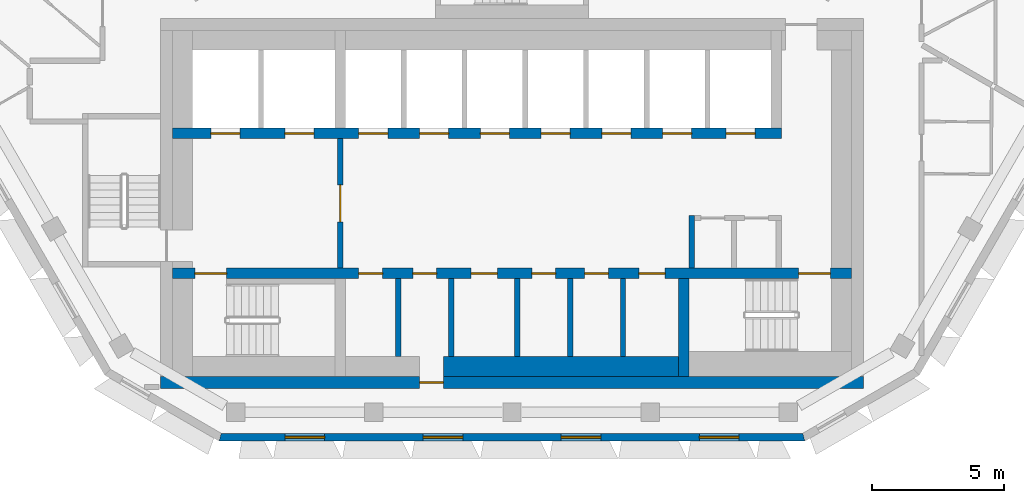
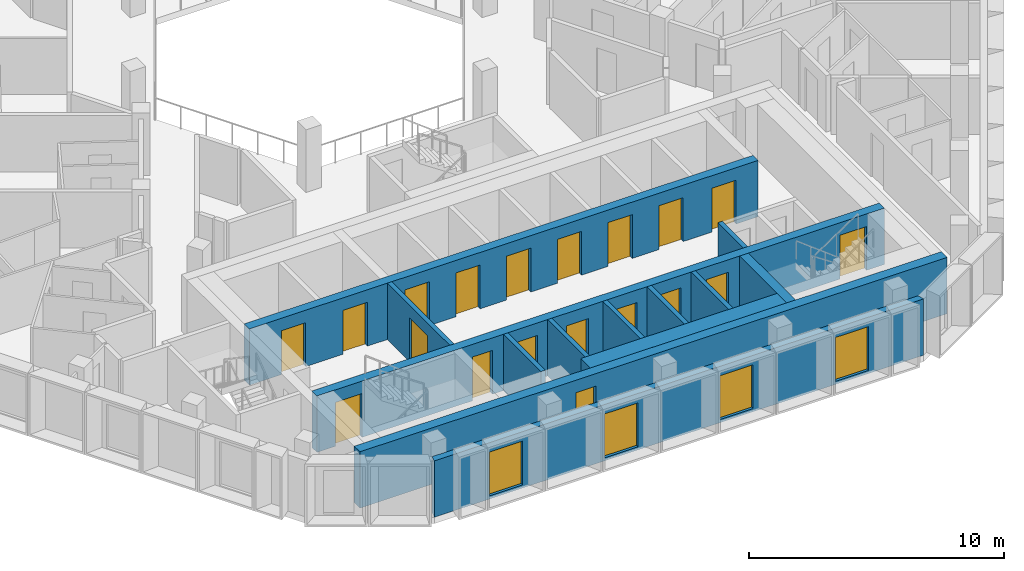
# One storey, part 3 of 15: 19 doors, 13 walls, 4 windows, 23 openings.
"""IFC4 building model written with IfcOpenShell, lengths in metres."""

from ifc_helpers import new_model, si_unit, direction, frame, frame_2d, origin, place, context, subcontext, project, spatial, polyline, rectangle, outline, extrude, material, layer, layer_set, type_object, element, fill, save


model = new_model("IFC4")

# Units and contexts
model_context = context("Model", 3, precision=1e-05, world=origin(), true_north=direction((0.0, 1.0)))
body_context = subcontext(model_context, "Body", "Model", "MODEL_VIEW")
ifc_project = project(units=[si_unit("LENGTHUNIT", "METRE"), si_unit("AREAUNIT", "SQUARE_METRE"), si_unit("VOLUMEUNIT", "CUBIC_METRE"), si_unit("PLANEANGLEUNIT", "RADIAN"), si_unit("MASSUNIT", "GRAM", prefix="KILO")], contexts=[model_context])

# Site, building, storey
site_placement = place(None, origin())
site = spatial("IfcSite", under=ifc_project, at=site_placement, CompositionType="ELEMENT")
building_placement = place(site_placement, origin())
building = spatial("IfcBuilding", under=site, at=building_placement, Name="Beryl Residences", CompositionType="ELEMENT")
storey_placement = place(building_placement, frame((0.0, 0.0, 205.800048828125)))
storey = spatial("IfcBuildingStorey", under=building, at=storey_placement, Name="L63", CompositionType="ELEMENT", Elevation=205.800048828125)

# Wall, openings, windows
ifc_material_1 = material(Name="Composite metal panel with mineral wool insulation")
ifc_layer_1 = layer(ifc_material_1, 0.300048828125)
ifc_layer_set_1 = layer_set([ifc_layer_1], Name="ES1 pale metal composite panel wall 300 mm")
wall_type_1 = type_object("IfcWallType", Name="ES1 pale metal composite panel wall 300 mm", PredefinedType="SOLIDWALL", material=ifc_layer_set_1)
wall_1_placement = place(storey_placement, frame((-11.0849609375, -20.85009765625, 0.0), z_axis=(0.0, 0.0, 1.0), x_axis=(1.0, 0.0, 0.0)))
wall_1 = element("IfcWall", 1, at=wall_1_placement, inside=storey, type_object=wall_type_1, Name="ES1 external wall L63 S", PredefinedType="SOLIDWALL", context=body_context, shape_type="SweptSolid", body=[
    extrude(outline(polyline([(0.0, -0.14990234375), (22.169921875, -0.14990234375), (22.089599609375, 0.14990234375), (0.080322265625, 0.14990234375), (0.0, -0.14990234375)])), origin(), (0.0, 0.0, 1.0), 2.699951171875),
])
opening_1_placement = place(wall_1_placement, frame((2.498046875, 0.0, 0.14990234375)))
opening_1 = element("IfcOpeningElement", 2, at=opening_1_placement, cuts=wall_1, Name="Opening W1", PredefinedType="OPENING", context=body_context, shape_type="SweptSolid", body=[
    extrude(rectangle(XDim=1.5, YDim=2.10009765625, at=frame_2d((0.75, 1.050048828125))), frame((0.0, 0.159912109375, 0.0), z_axis=(0.0, -1.0, 0.0), x_axis=(1.0, 0.0, 0.0)), (0.0, 0.0, 1.0), 0.320068359375),
])
opening_2_placement = place(wall_1_placement, frame((7.722900390625, 0.0, 0.14990234375)))
opening_2 = element("IfcOpeningElement", 3, at=opening_2_placement, cuts=wall_1, Name="Opening W1", PredefinedType="OPENING", context=body_context, shape_type="SweptSolid", body=[
    extrude(rectangle(XDim=1.5, YDim=2.10009765625, at=frame_2d((0.75, 1.050048828125))), frame((0.0, 0.159912109375, 0.0), z_axis=(0.0, -1.0, 0.0), x_axis=(1.0, 0.0, 0.0)), (0.0, 0.0, 1.0), 0.320068359375),
])
opening_3_placement = place(wall_1_placement, frame((12.947021484375, 0.0, 0.14990234375)))
opening_3 = element("IfcOpeningElement", 4, at=opening_3_placement, cuts=wall_1, Name="Opening W1", PredefinedType="OPENING", context=body_context, shape_type="SweptSolid", body=[
    extrude(rectangle(XDim=1.5, YDim=2.10009765625, at=frame_2d((0.75, 1.050048828125))), frame((0.0, 0.159912109375, 0.0), z_axis=(0.0, -1.0, 0.0), x_axis=(1.0, 0.0, 0.0)), (0.0, 0.0, 1.0), 0.320068359375),
])
opening_4_placement = place(wall_1_placement, frame((18.172119140625, 0.0, 0.14990234375)))
opening_4 = element("IfcOpeningElement", 5, at=opening_4_placement, cuts=wall_1, Name="Opening W1", PredefinedType="OPENING", context=body_context, shape_type="SweptSolid", body=[
    extrude(rectangle(XDim=1.5, YDim=2.10009765625, at=frame_2d((0.75, 1.050048828125))), frame((0.0, 0.159912109375, 0.0), z_axis=(0.0, -1.0, 0.0), x_axis=(1.0, 0.0, 0.0)), (0.0, 0.0, 1.0), 0.320068359375),
])
ifc_material_2 = material(Name="Aluminium and clear glass", Category="aluminium")
window_type = type_object("IfcWindowType", Name="W1 cell window 1500 x 2100 mm", PartitioningType="SINGLE_PANEL", PredefinedType="WINDOW", material=ifc_material_2)
window_1_placement = place(opening_1_placement, origin())
window_1 = element("IfcWindow", 6, at=window_1_placement, inside=storey, type_object=window_type, Name="W1 window L63 S 2", OverallHeight=2.10009765625, OverallWidth=1.5, PartitioningType="SINGLE_PANEL", PredefinedType="WINDOW", context=body_context, shape_type="SweptSolid", body=[
    extrude(rectangle(XDim=1.5, YDim=2.10009765625, at=frame_2d((0.75, 1.050048828125))), frame((0.0, 0.030029296875, 0.0), z_axis=(0.0, -1.0, 0.0), x_axis=(1.0, 0.0, 0.0)), (0.0, 0.0, 1.0), 0.06005859375),
])
fill(opening_1, window_1)
window_2_placement = place(opening_2_placement, origin())
window_2 = element("IfcWindow", 7, at=window_2_placement, inside=storey, type_object=window_type, Name="W1 window L63 S 4", OverallHeight=2.10009765625, OverallWidth=1.5, PartitioningType="SINGLE_PANEL", PredefinedType="WINDOW", context=body_context, shape_type="SweptSolid", body=[
    extrude(rectangle(XDim=1.5, YDim=2.10009765625, at=frame_2d((0.75, 1.050048828125))), frame((0.0, 0.030029296875, 0.0), z_axis=(0.0, -1.0, 0.0), x_axis=(1.0, 0.0, 0.0)), (0.0, 0.0, 1.0), 0.06005859375),
])
fill(opening_2, window_2)
window_3_placement = place(opening_3_placement, origin())
window_3 = element("IfcWindow", 8, at=window_3_placement, inside=storey, type_object=window_type, Name="W1 window L63 S 6", OverallHeight=2.10009765625, OverallWidth=1.5, PartitioningType="SINGLE_PANEL", PredefinedType="WINDOW", context=body_context, shape_type="SweptSolid", body=[
    extrude(rectangle(XDim=1.5, YDim=2.10009765625, at=frame_2d((0.75, 1.050048828125))), frame((0.0, 0.030029296875, 0.0), z_axis=(0.0, -1.0, 0.0), x_axis=(1.0, 0.0, 0.0)), (0.0, 0.0, 1.0), 0.06005859375),
])
fill(opening_3, window_3)
window_4_placement = place(opening_4_placement, origin())
window_4 = element("IfcWindow", 9, at=window_4_placement, inside=storey, type_object=window_type, Name="W1 window L63 S 8", OverallHeight=2.10009765625, OverallWidth=1.5, PartitioningType="SINGLE_PANEL", PredefinedType="WINDOW", context=body_context, shape_type="SweptSolid", body=[
    extrude(rectangle(XDim=1.5, YDim=2.10009765625, at=frame_2d((0.75, 1.050048828125))), frame((0.0, 0.030029296875, 0.0), z_axis=(0.0, -1.0, 0.0), x_axis=(1.0, 0.0, 0.0)), (0.0, 0.0, 1.0), 0.06005859375),
])
fill(opening_4, window_4)

# Wall, opening, door
ifc_material_3 = material(Name="Concrete masonry", Category="masonry")
ifc_layer_2 = layer(ifc_material_3, 0.199951171875)
ifc_layer_set_2 = layer_set([ifc_layer_2], Name="PT13 lobby wall 200 mm")
wall_type_2 = type_object("IfcWallType", Name="PT13 lobby wall 200 mm", PredefinedType="PARTITIONING", material=ifc_layer_set_2)
wall_2_placement = place(storey_placement, frame((-6.5, -14.449951171875, 0.0), z_axis=(0.0, 0.0, 1.0), x_axis=(0.0, 1.0, 0.0)))
wall_2 = element("IfcWall", 10, at=wall_2_placement, inside=storey, type_object=wall_type_2, Name="Lobby wall 12", PredefinedType="PARTITIONING", context=body_context, shape_type="SweptSolid", body=[
    extrude(rectangle(XDim=4.89990234375, YDim=0.199951171875, at=frame_2d((2.449951171875, 0.0))), origin(), (0.0, 0.0, 1.0), 2.699951171875),
])
opening_5_placement = place(wall_2_placement, frame((3.14990234375, 0.0, 0.0), z_axis=(0.0, 0.0, 1.0), x_axis=(-1.0, 0.0, 0.0)))
opening_5 = element("IfcOpeningElement", 11, at=opening_5_placement, cuts=wall_2, Name="Opening FD-FFL", PredefinedType="OPENING", context=body_context, shape_type="SweptSolid", body=[
    extrude(rectangle(XDim=1.39990234375, YDim=2.10009765625, at=frame_2d((0.699951171875, 1.050048828125))), frame((0.0, 0.10986328125, 0.0), z_axis=(0.0, -1.0, 0.0), x_axis=(1.0, 0.0, 0.0)), (0.0, 0.0, 1.0), 0.219970703125),
])
ifc_material_4 = material(Name="Steel door leaf in steel frame", Category="steel")
door_type_1 = type_object("IfcDoorType", Name="D5 lobby door 1400 x 2100 mm", OperationType="DOUBLE_DOOR_SINGLE_SWING", PredefinedType="DOOR", material=ifc_material_4)
door_1_placement = place(opening_5_placement, origin())
door_1 = element("IfcDoor", 12, at=door_1_placement, inside=storey, type_object=door_type_1, Name="Door FD-FFL L63 001", OperationType="DOUBLE_DOOR_SINGLE_SWING", OverallHeight=2.10009765625, OverallWidth=1.39990234375, PredefinedType="DOOR", context=body_context, shape_type="SweptSolid", body=[
    extrude(rectangle(XDim=1.39990234375, YDim=2.10009765625, at=frame_2d((0.699951171875, 1.050048828125))), frame((0.0, 0.02490234375, 0.0), z_axis=(0.0, -1.0, 0.0), x_axis=(1.0, 0.0, 0.0)), (0.0, 0.0, 1.0), 0.050048828125),
])
fill(opening_5, door_1)

# Walls
wall_3_placement = place(storey_placement, frame((6.800048828125, -14.449951171875, 0.0), z_axis=(0.0, 0.0, 1.0), x_axis=(0.0, 1.0, 0.0)))
element("IfcWall", 13, at=wall_3_placement, inside=storey, type_object=wall_type_2, Name="Lobby wall 27", PredefinedType="PARTITIONING", context=body_context, shape_type="SweptSolid", body=[
    extrude(rectangle(XDim=2.0, YDim=0.199951171875, at=frame_2d((1.0, 0.0))), origin(), (0.0, 0.0, 1.0), 2.699951171875),
])
ifc_material_5 = material(Name="Concrete masonry", Category="masonry")
ifc_layer_3 = layer(ifc_material_5, 0.199951171875)
ifc_layer_set_3 = layer_set([ifc_layer_3], Name="PT8-200 service room wall 200 mm")
wall_type_3 = type_object("IfcWallType", Name="PT8-200 service room wall 200 mm", PredefinedType="PARTITIONING", material=ifc_layer_set_3)
for number, where, z_axis, x_axis, name in (
    (14, (-4.300048828125, -17.800048828125, 0.0), (0.0, 0.0, 1.0), (0.0, 1.0, 0.0), "Core room wall 15"),
    (15, (-2.300048828125, -17.800048828125, 0.0), (0.0, 0.0, 1.0), (0.0, 1.0, 0.0), "Core room wall 18"),
    (16, (0.199951171875, -17.800048828125, 0.0), (0.0, 0.0, 1.0), (0.0, 1.0, 0.0), "Core room wall 20"),
    (17, (2.199951171875, -17.800048828125, 0.0), (0.0, 0.0, 1.0), (0.0, 1.0, 0.0), "Core room wall 22"),
    (18, (4.199951171875, -17.800048828125, 0.0), (0.0, 0.0, 1.0), (0.0, 1.0, 0.0), "Core room wall 24"),
):
    element("IfcWall", number, at=place(storey_placement, frame(where, z_axis=z_axis, x_axis=x_axis)), inside=storey, type_object=wall_type_3, Name=name, PredefinedType="PARTITIONING", context=body_context, shape_type="SweptSolid", body=[
        extrude(rectangle(XDim=2.949951171875, YDim=0.199951171875, at=frame_2d((1.47509765625, 0.0))), origin(), (0.0, 0.0, 1.0), 2.699951171875),
    ])
ifc_material_6 = material(Name="Concrete masonry", Category="masonry")
ifc_layer_4 = layer(ifc_material_6, 0.75)
ifc_layer_set_4 = layer_set([ifc_layer_4], Name="PT8-750 service room wall 750 mm")
wall_type_4 = type_object("IfcWallType", Name="PT8-750 service room wall 750 mm", PredefinedType="PARTITIONING", material=ifc_layer_set_4)
wall_4_placement = place(storey_placement, frame((-2.60009765625, -18.175048828125, 0.0), z_axis=(0.0, 0.0, 1.0), x_axis=(1.0, 0.0, 0.0)))
element("IfcWall", 19, at=wall_4_placement, inside=storey, type_object=wall_type_4, Name="Core room wall 17", PredefinedType="PARTITIONING", context=body_context, shape_type="SweptSolid", body=[
    extrude(rectangle(XDim=8.900146484375, YDim=0.75, at=frame_2d((4.4501953125, 0.0))), origin(), (0.0, 0.0, 1.0), 2.699951171875),
])

# Wall, openings, doors
ifc_material_7 = material(Name="Concrete C50/60", Category="concrete")
ifc_layer_5 = layer(ifc_material_7, 0.39990234375)
ifc_layer_set_5 = layer_set([ifc_layer_5], Name="SW10 core internal wall 400 mm C50/60")
wall_type_5 = type_object("IfcWallType", Name="SW10 core internal wall 400 mm C50/60", PredefinedType="SHEAR", material=ifc_layer_set_5)
wall_5_placement = place(storey_placement, frame((-12.85009765625, -14.64990234375, 0.0), z_axis=(0.0, 0.0, 1.0), x_axis=(1.0, 0.0, 0.0)))
wall_5 = element("IfcWall", 20, at=wall_5_placement, inside=storey, type_object=wall_type_5, Name="Core wall SP1 L63", PredefinedType="SHEAR", context=body_context, shape_type="SweptSolid", body=[
    extrude(rectangle(XDim=25.7001953125, YDim=0.39990234375, at=frame_2d((12.85009765625, 0.0))), origin(), (0.0, 0.0, 1.0), 2.699951171875),
])
opening_6_placement = place(wall_5_placement, frame((2.050048828125, 0.0, 0.0), z_axis=(0.0, 0.0, 1.0), x_axis=(-1.0, 0.0, 0.0)))
opening_6 = element("IfcOpeningElement", 21, at=opening_6_placement, cuts=wall_5, Name="Opening SD-1", PredefinedType="OPENING", context=body_context, shape_type="SweptSolid", body=[
    extrude(rectangle(XDim=1.199951171875, YDim=2.10009765625, at=frame_2d((0.60009765625, 1.050048828125))), frame((0.0, 0.2099609375, 0.0), z_axis=(0.0, -1.0, 0.0), x_axis=(1.0, 0.0, 0.0)), (0.0, 0.0, 1.0), 0.419921875),
])
opening_7_placement = place(wall_5_placement, frame((24.89990234375, 0.0, 0.0), z_axis=(0.0, 0.0, 1.0), x_axis=(-1.0, 0.0, 0.0)))
opening_7 = element("IfcOpeningElement", 22, at=opening_7_placement, cuts=wall_5, Name="Opening SD-3", PredefinedType="OPENING", context=body_context, shape_type="SweptSolid", body=[
    extrude(rectangle(XDim=1.199951171875, YDim=2.10009765625, at=frame_2d((0.60009765625, 1.050048828125))), frame((0.0, 0.2099609375, 0.0), z_axis=(0.0, -1.0, 0.0), x_axis=(1.0, 0.0, 0.0)), (0.0, 0.0, 1.0), 0.419921875),
])
opening_8_placement = place(wall_5_placement, frame((7.949951171875, 0.0, 0.0), z_axis=(0.0, 0.0, 1.0), x_axis=(-1.0, 0.0, 0.0)))
opening_8 = element("IfcOpeningElement", 23, at=opening_8_placement, cuts=wall_5, Name="Opening CD-D-S1-900", PredefinedType="OPENING", context=body_context, shape_type="SweptSolid", body=[
    extrude(rectangle(XDim=0.89990234375, YDim=2.10009765625, at=frame_2d((0.449951171875, 1.050048828125))), frame((0.0, 0.2099609375, 0.0), z_axis=(0.0, -1.0, 0.0), x_axis=(1.0, 0.0, 0.0)), (0.0, 0.0, 1.0), 0.419921875),
])
opening_9_placement = place(wall_5_placement, frame((10.0, 0.0, 0.0), z_axis=(0.0, 0.0, 1.0), x_axis=(-1.0, 0.0, 0.0)))
opening_9 = element("IfcOpeningElement", 24, at=opening_9_placement, cuts=wall_5, Name="Opening CD-D-S2-900", PredefinedType="OPENING", context=body_context, shape_type="SweptSolid", body=[
    extrude(rectangle(XDim=0.89990234375, YDim=2.10009765625, at=frame_2d((0.449951171875, 1.050048828125))), frame((0.0, 0.2099609375, 0.0), z_axis=(0.0, -1.0, 0.0), x_axis=(1.0, 0.0, 0.0)), (0.0, 0.0, 1.0), 0.419921875),
])
opening_10_placement = place(wall_5_placement, frame((12.300048828125, 0.0, 0.0), z_axis=(0.0, 0.0, 1.0), x_axis=(-1.0, 0.0, 0.0)))
opening_10 = element("IfcOpeningElement", 25, at=opening_10_placement, cuts=wall_5, Name="Opening CD-D-S3", PredefinedType="OPENING", context=body_context, shape_type="SweptSolid", body=[
    extrude(rectangle(XDim=1.0, YDim=2.10009765625, at=frame_2d((0.5, 1.050048828125))), frame((0.0, 0.2099609375, 0.0), z_axis=(0.0, -1.0, 0.0), x_axis=(1.0, 0.0, 0.0)), (0.0, 0.0, 1.0), 0.419921875),
])
opening_11_placement = place(wall_5_placement, frame((14.5, 0.0, 0.0), z_axis=(0.0, 0.0, 1.0), x_axis=(-1.0, 0.0, 0.0)))
opening_11 = element("IfcOpeningElement", 26, at=opening_11_placement, cuts=wall_5, Name="Opening CD-D-S4-900", PredefinedType="OPENING", context=body_context, shape_type="SweptSolid", body=[
    extrude(rectangle(XDim=0.89990234375, YDim=2.10009765625, at=frame_2d((0.449951171875, 1.050048828125))), frame((0.0, 0.2099609375, 0.0), z_axis=(0.0, -1.0, 0.0), x_axis=(1.0, 0.0, 0.0)), (0.0, 0.0, 1.0), 0.419921875),
])
opening_12_placement = place(wall_5_placement, frame((16.5, 0.0, 0.0), z_axis=(0.0, 0.0, 1.0), x_axis=(-1.0, 0.0, 0.0)))
opening_12 = element("IfcOpeningElement", 27, at=opening_12_placement, cuts=wall_5, Name="Opening CD-D-S5-900", PredefinedType="OPENING", context=body_context, shape_type="SweptSolid", body=[
    extrude(rectangle(XDim=0.89990234375, YDim=2.10009765625, at=frame_2d((0.449951171875, 1.050048828125))), frame((0.0, 0.2099609375, 0.0), z_axis=(0.0, -1.0, 0.0), x_axis=(1.0, 0.0, 0.0)), (0.0, 0.0, 1.0), 0.419921875),
])
opening_13_placement = place(wall_5_placement, frame((18.64990234375, 0.0, 0.0), z_axis=(0.0, 0.0, 1.0), x_axis=(-1.0, 0.0, 0.0)))
opening_13 = element("IfcOpeningElement", 28, at=opening_13_placement, cuts=wall_5, Name="Opening CD-D-S6", PredefinedType="OPENING", context=body_context, shape_type="SweptSolid", body=[
    extrude(rectangle(XDim=1.0, YDim=2.10009765625, at=frame_2d((0.5, 1.050048828125))), frame((0.0, 0.2099609375, 0.0), z_axis=(0.0, -1.0, 0.0), x_axis=(1.0, 0.0, 0.0)), (0.0, 0.0, 1.0), 0.419921875),
])
ifc_material_8 = material(Name="Steel door leaf in steel frame", Category="steel")
door_type_2 = type_object("IfcDoorType", Name="D18 service room door 1000 x 2100 mm", OperationType="SINGLE_SWING_LEFT", PredefinedType="DOOR", material=ifc_material_8)
door_2_placement = place(opening_10_placement, origin())
door_2 = element("IfcDoor", 29, at=door_2_placement, inside=storey, type_object=door_type_2, Name="Door CD-D-S3 L63 001", OperationType="SINGLE_SWING_RIGHT", OverallHeight=2.10009765625, OverallWidth=1.0, PredefinedType="DOOR", context=body_context, shape_type="SweptSolid", body=[
    extrude(rectangle(XDim=1.0, YDim=2.10009765625, at=frame_2d((0.5, 1.050048828125))), frame((0.0, 0.02490234375, 0.0), z_axis=(0.0, -1.0, 0.0), x_axis=(1.0, 0.0, 0.0)), (0.0, 0.0, 1.0), 0.050048828125),
])
fill(opening_10, door_2)
door_3_placement = place(opening_13_placement, origin())
door_3 = element("IfcDoor", 30, at=door_3_placement, inside=storey, type_object=door_type_2, Name="Door CD-D-S6 L63 001", OperationType="SINGLE_SWING_LEFT", OverallHeight=2.10009765625, OverallWidth=1.0, PredefinedType="DOOR", context=body_context, shape_type="SweptSolid", body=[
    extrude(rectangle(XDim=1.0, YDim=2.10009765625, at=frame_2d((0.5, 1.050048828125))), frame((0.0, 0.02490234375, 0.0), z_axis=(0.0, -1.0, 0.0), x_axis=(1.0, 0.0, 0.0)), (0.0, 0.0, 1.0), 0.050048828125),
])
fill(opening_13, door_3)
ifc_material_9 = material(Name="Steel door leaf in steel frame", Category="steel")
door_type_3 = type_object("IfcDoorType", Name="D4 stair door 1200 x 2100 mm", OperationType="SINGLE_SWING_LEFT", PredefinedType="DOOR", material=ifc_material_9)
door_4_placement = place(opening_6_placement, origin())
door_4 = element("IfcDoor", 31, at=door_4_placement, inside=storey, type_object=door_type_3, Name="Door SD-1 L63 001", OperationType="SINGLE_SWING_RIGHT", OverallHeight=2.10009765625, OverallWidth=1.199951171875, PredefinedType="DOOR", context=body_context, shape_type="SweptSolid", body=[
    extrude(rectangle(XDim=1.199951171875, YDim=2.10009765625, at=frame_2d((0.60009765625, 1.050048828125))), frame((0.0, 0.02490234375, 0.0), z_axis=(0.0, -1.0, 0.0), x_axis=(1.0, 0.0, 0.0)), (0.0, 0.0, 1.0), 0.050048828125),
])
fill(opening_6, door_4)
door_5_placement = place(opening_7_placement, origin())
door_5 = element("IfcDoor", 32, at=door_5_placement, inside=storey, type_object=door_type_3, Name="Door SD-3 L63 001", OperationType="SINGLE_SWING_RIGHT", OverallHeight=2.10009765625, OverallWidth=1.199951171875, PredefinedType="DOOR", context=body_context, shape_type="SweptSolid", body=[
    extrude(rectangle(XDim=1.199951171875, YDim=2.10009765625, at=frame_2d((0.60009765625, 1.050048828125))), frame((0.0, 0.02490234375, 0.0), z_axis=(0.0, -1.0, 0.0), x_axis=(1.0, 0.0, 0.0)), (0.0, 0.0, 1.0), 0.050048828125),
])
fill(opening_7, door_5)
ifc_material_10 = material(Name="Steel door leaf in steel frame", Category="steel")
door_type_4 = type_object("IfcDoorType", Name="D6 service room door 900 x 2100 mm", OperationType="SINGLE_SWING_LEFT", PredefinedType="DOOR", material=ifc_material_10)
door_6_placement = place(opening_8_placement, origin())
door_6 = element("IfcDoor", 33, at=door_6_placement, inside=storey, type_object=door_type_4, Name="Door CD-D-S1-900 L63 001", OperationType="SINGLE_SWING_RIGHT", OverallHeight=2.10009765625, OverallWidth=0.89990234375, PredefinedType="DOOR", context=body_context, shape_type="SweptSolid", body=[
    extrude(rectangle(XDim=0.89990234375, YDim=2.10009765625, at=frame_2d((0.449951171875, 1.050048828125))), frame((0.0, 0.02490234375, 0.0), z_axis=(0.0, -1.0, 0.0), x_axis=(1.0, 0.0, 0.0)), (0.0, 0.0, 1.0), 0.050048828125),
])
fill(opening_8, door_6)
door_7_placement = place(opening_9_placement, origin())
door_7 = element("IfcDoor", 34, at=door_7_placement, inside=storey, type_object=door_type_4, Name="Door CD-D-S2-900 L63 001", OperationType="SINGLE_SWING_LEFT", OverallHeight=2.10009765625, OverallWidth=0.89990234375, PredefinedType="DOOR", context=body_context, shape_type="SweptSolid", body=[
    extrude(rectangle(XDim=0.89990234375, YDim=2.10009765625, at=frame_2d((0.449951171875, 1.050048828125))), frame((0.0, 0.02490234375, 0.0), z_axis=(0.0, -1.0, 0.0), x_axis=(1.0, 0.0, 0.0)), (0.0, 0.0, 1.0), 0.050048828125),
])
fill(opening_9, door_7)
door_8_placement = place(opening_11_placement, origin())
door_8 = element("IfcDoor", 35, at=door_8_placement, inside=storey, type_object=door_type_4, Name="Door CD-D-S4-900 L63 001", OperationType="SINGLE_SWING_LEFT", OverallHeight=2.10009765625, OverallWidth=0.89990234375, PredefinedType="DOOR", context=body_context, shape_type="SweptSolid", body=[
    extrude(rectangle(XDim=0.89990234375, YDim=2.10009765625, at=frame_2d((0.449951171875, 1.050048828125))), frame((0.0, 0.02490234375, 0.0), z_axis=(0.0, -1.0, 0.0), x_axis=(1.0, 0.0, 0.0)), (0.0, 0.0, 1.0), 0.050048828125),
])
fill(opening_11, door_8)
door_9_placement = place(opening_12_placement, origin())
door_9 = element("IfcDoor", 36, at=door_9_placement, inside=storey, type_object=door_type_4, Name="Door CD-D-S5-900 L63 001", OperationType="SINGLE_SWING_RIGHT", OverallHeight=2.10009765625, OverallWidth=0.89990234375, PredefinedType="DOOR", context=body_context, shape_type="SweptSolid", body=[
    extrude(rectangle(XDim=0.89990234375, YDim=2.10009765625, at=frame_2d((0.449951171875, 1.050048828125))), frame((0.0, 0.02490234375, 0.0), z_axis=(0.0, -1.0, 0.0), x_axis=(1.0, 0.0, 0.0)), (0.0, 0.0, 1.0), 0.050048828125),
])
fill(opening_12, door_9)

wall_6_placement = place(storey_placement, frame((-12.85009765625, -9.35009765625, 0.0), z_axis=(0.0, 0.0, 1.0), x_axis=(1.0, 0.0, 0.0)))
wall_6 = element("IfcWall", 37, at=wall_6_placement, inside=storey, type_object=wall_type_5, Name="Core wall SP2 L63", PredefinedType="SHEAR", context=body_context, shape_type="SweptSolid", body=[
    extrude(rectangle(XDim=23.050048828125, YDim=0.39990234375, at=frame_2d((11.52490234375, 0.0))), origin(), (0.0, 0.0, 1.0), 2.699951171875),
])
opening_14_placement = place(wall_6_placement, frame((1.449951171875, 0.0, 0.0)))
opening_14 = element("IfcOpeningElement", 38, at=opening_14_placement, cuts=wall_6, Name="Opening LD-FF1", PredefinedType="OPENING", context=body_context, shape_type="SweptSolid", body=[
    extrude(rectangle(XDim=1.10009765625, YDim=2.10009765625, at=frame_2d((0.550048828125, 1.050048828125))), frame((0.0, 0.2099609375, 0.0), z_axis=(0.0, -1.0, 0.0), x_axis=(1.0, 0.0, 0.0)), (0.0, 0.0, 1.0), 0.419921875),
])
opening_15_placement = place(wall_6_placement, frame((4.25, 0.0, 0.0)))
opening_15 = element("IfcOpeningElement", 39, at=opening_15_placement, cuts=wall_6, Name="Opening LD-FF2", PredefinedType="OPENING", context=body_context, shape_type="SweptSolid", body=[
    extrude(rectangle(XDim=1.10009765625, YDim=2.10009765625, at=frame_2d((0.550048828125, 1.050048828125))), frame((0.0, 0.2099609375, 0.0), z_axis=(0.0, -1.0, 0.0), x_axis=(1.0, 0.0, 0.0)), (0.0, 0.0, 1.0), 0.419921875),
])
opening_16_placement = place(wall_6_placement, frame((7.050048828125, 0.0, 0.0)))
opening_16 = element("IfcOpeningElement", 40, at=opening_16_placement, cuts=wall_6, Name="Opening LD-HR1", PredefinedType="OPENING", context=body_context, shape_type="SweptSolid", body=[
    extrude(rectangle(XDim=1.10009765625, YDim=2.10009765625, at=frame_2d((0.550048828125, 1.050048828125))), frame((0.0, 0.2099609375, 0.0), z_axis=(0.0, -1.0, 0.0), x_axis=(1.0, 0.0, 0.0)), (0.0, 0.0, 1.0), 0.419921875),
])
opening_17_placement = place(wall_6_placement, frame((9.35009765625, 0.0, 0.0)))
opening_17 = element("IfcOpeningElement", 41, at=opening_17_placement, cuts=wall_6, Name="Opening LD-HR2", PredefinedType="OPENING", context=body_context, shape_type="SweptSolid", body=[
    extrude(rectangle(XDim=1.10009765625, YDim=2.10009765625, at=frame_2d((0.550048828125, 1.050048828125))), frame((0.0, 0.2099609375, 0.0), z_axis=(0.0, -1.0, 0.0), x_axis=(1.0, 0.0, 0.0)), (0.0, 0.0, 1.0), 0.419921875),
])
opening_18_placement = place(wall_6_placement, frame((11.64990234375, 0.0, 0.0)))
opening_18 = element("IfcOpeningElement", 42, at=opening_18_placement, cuts=wall_6, Name="Opening LD-HR3", PredefinedType="OPENING", context=body_context, shape_type="SweptSolid", body=[
    extrude(rectangle(XDim=1.10009765625, YDim=2.10009765625, at=frame_2d((0.550048828125, 1.050048828125))), frame((0.0, 0.2099609375, 0.0), z_axis=(0.0, -1.0, 0.0), x_axis=(1.0, 0.0, 0.0)), (0.0, 0.0, 1.0), 0.419921875),
])
opening_19_placement = place(wall_6_placement, frame((13.949951171875, 0.0, 0.0)))
opening_19 = element("IfcOpeningElement", 43, at=opening_19_placement, cuts=wall_6, Name="Opening LD-HR4", PredefinedType="OPENING", context=body_context, shape_type="SweptSolid", body=[
    extrude(rectangle(XDim=1.10009765625, YDim=2.10009765625, at=frame_2d((0.550048828125, 1.050048828125))), frame((0.0, 0.2099609375, 0.0), z_axis=(0.0, -1.0, 0.0), x_axis=(1.0, 0.0, 0.0)), (0.0, 0.0, 1.0), 0.419921875),
])
opening_20_placement = place(wall_6_placement, frame((16.25, 0.0, 0.0)))
opening_20 = element("IfcOpeningElement", 44, at=opening_20_placement, cuts=wall_6, Name="Opening LD-HR5", PredefinedType="OPENING", context=body_context, shape_type="SweptSolid", body=[
    extrude(rectangle(XDim=1.10009765625, YDim=2.10009765625, at=frame_2d((0.550048828125, 1.050048828125))), frame((0.0, 0.2099609375, 0.0), z_axis=(0.0, -1.0, 0.0), x_axis=(1.0, 0.0, 0.0)), (0.0, 0.0, 1.0), 0.419921875),
])
opening_21_placement = place(wall_6_placement, frame((18.550048828125, 0.0, 0.0)))
opening_21 = element("IfcOpeningElement", 45, at=opening_21_placement, cuts=wall_6, Name="Opening LD-HR6", PredefinedType="OPENING", context=body_context, shape_type="SweptSolid", body=[
    extrude(rectangle(XDim=1.10009765625, YDim=2.10009765625, at=frame_2d((0.550048828125, 1.050048828125))), frame((0.0, 0.2099609375, 0.0), z_axis=(0.0, -1.0, 0.0), x_axis=(1.0, 0.0, 0.0)), (0.0, 0.0, 1.0), 0.419921875),
])
opening_22_placement = place(wall_6_placement, frame((20.949951171875, 0.0, 0.0)))
opening_22 = element("IfcOpeningElement", 46, at=opening_22_placement, cuts=wall_6, Name="Opening LD-SL1", PredefinedType="OPENING", context=body_context, shape_type="SweptSolid", body=[
    extrude(rectangle(XDim=1.10009765625, YDim=2.10009765625, at=frame_2d((0.550048828125, 1.050048828125))), frame((0.0, 0.2099609375, 0.0), z_axis=(0.0, -1.0, 0.0), x_axis=(1.0, 0.0, 0.0)), (0.0, 0.0, 1.0), 0.419921875),
])
ifc_material_11 = material(Name="Stainless steel sliding door", Category="steel")
door_type_5 = type_object("IfcDoorType", Name="LD1 lift landing door 1100 x 2100 mm", OperationType="DOUBLE_DOOR_SLIDING", PredefinedType="DOOR", material=ifc_material_11)
door_10_placement = place(opening_14_placement, origin())
door_10 = element("IfcDoor", 47, at=door_10_placement, inside=storey, type_object=door_type_5, Name="Lift landing door FF1", OperationType="DOUBLE_DOOR_SLIDING", OverallHeight=2.10009765625, OverallWidth=1.10009765625, PredefinedType="DOOR", context=body_context, shape_type="SweptSolid", body=[
    extrude(rectangle(XDim=1.10009765625, YDim=2.10009765625, at=frame_2d((0.550048828125, 1.050048828125))), frame((0.0, 0.02490234375, 0.0), z_axis=(0.0, -1.0, 0.0), x_axis=(1.0, 0.0, 0.0)), (0.0, 0.0, 1.0), 0.050048828125),
])
fill(opening_14, door_10)
door_11_placement = place(opening_15_placement, origin())
door_11 = element("IfcDoor", 48, at=door_11_placement, inside=storey, type_object=door_type_5, Name="Lift landing door FF2", OperationType="DOUBLE_DOOR_SLIDING", OverallHeight=2.10009765625, OverallWidth=1.10009765625, PredefinedType="DOOR", context=body_context, shape_type="SweptSolid", body=[
    extrude(rectangle(XDim=1.10009765625, YDim=2.10009765625, at=frame_2d((0.550048828125, 1.050048828125))), frame((0.0, 0.02490234375, 0.0), z_axis=(0.0, -1.0, 0.0), x_axis=(1.0, 0.0, 0.0)), (0.0, 0.0, 1.0), 0.050048828125),
])
fill(opening_15, door_11)
door_12_placement = place(opening_16_placement, origin())
door_12 = element("IfcDoor", 49, at=door_12_placement, inside=storey, type_object=door_type_5, Name="Lift landing door HR1", OperationType="DOUBLE_DOOR_SLIDING", OverallHeight=2.10009765625, OverallWidth=1.10009765625, PredefinedType="DOOR", context=body_context, shape_type="SweptSolid", body=[
    extrude(rectangle(XDim=1.10009765625, YDim=2.10009765625, at=frame_2d((0.550048828125, 1.050048828125))), frame((0.0, 0.02490234375, 0.0), z_axis=(0.0, -1.0, 0.0), x_axis=(1.0, 0.0, 0.0)), (0.0, 0.0, 1.0), 0.050048828125),
])
fill(opening_16, door_12)
door_13_placement = place(opening_17_placement, origin())
door_13 = element("IfcDoor", 50, at=door_13_placement, inside=storey, type_object=door_type_5, Name="Lift landing door HR2", OperationType="DOUBLE_DOOR_SLIDING", OverallHeight=2.10009765625, OverallWidth=1.10009765625, PredefinedType="DOOR", context=body_context, shape_type="SweptSolid", body=[
    extrude(rectangle(XDim=1.10009765625, YDim=2.10009765625, at=frame_2d((0.550048828125, 1.050048828125))), frame((0.0, 0.02490234375, 0.0), z_axis=(0.0, -1.0, 0.0), x_axis=(1.0, 0.0, 0.0)), (0.0, 0.0, 1.0), 0.050048828125),
])
fill(opening_17, door_13)
door_14_placement = place(opening_18_placement, origin())
door_14 = element("IfcDoor", 51, at=door_14_placement, inside=storey, type_object=door_type_5, Name="Lift landing door HR3", OperationType="DOUBLE_DOOR_SLIDING", OverallHeight=2.10009765625, OverallWidth=1.10009765625, PredefinedType="DOOR", context=body_context, shape_type="SweptSolid", body=[
    extrude(rectangle(XDim=1.10009765625, YDim=2.10009765625, at=frame_2d((0.550048828125, 1.050048828125))), frame((0.0, 0.02490234375, 0.0), z_axis=(0.0, -1.0, 0.0), x_axis=(1.0, 0.0, 0.0)), (0.0, 0.0, 1.0), 0.050048828125),
])
fill(opening_18, door_14)
door_15_placement = place(opening_19_placement, origin())
door_15 = element("IfcDoor", 52, at=door_15_placement, inside=storey, type_object=door_type_5, Name="Lift landing door HR4", OperationType="DOUBLE_DOOR_SLIDING", OverallHeight=2.10009765625, OverallWidth=1.10009765625, PredefinedType="DOOR", context=body_context, shape_type="SweptSolid", body=[
    extrude(rectangle(XDim=1.10009765625, YDim=2.10009765625, at=frame_2d((0.550048828125, 1.050048828125))), frame((0.0, 0.02490234375, 0.0), z_axis=(0.0, -1.0, 0.0), x_axis=(1.0, 0.0, 0.0)), (0.0, 0.0, 1.0), 0.050048828125),
])
fill(opening_19, door_15)
door_16_placement = place(opening_20_placement, origin())
door_16 = element("IfcDoor", 53, at=door_16_placement, inside=storey, type_object=door_type_5, Name="Lift landing door HR5", OperationType="DOUBLE_DOOR_SLIDING", OverallHeight=2.10009765625, OverallWidth=1.10009765625, PredefinedType="DOOR", context=body_context, shape_type="SweptSolid", body=[
    extrude(rectangle(XDim=1.10009765625, YDim=2.10009765625, at=frame_2d((0.550048828125, 1.050048828125))), frame((0.0, 0.02490234375, 0.0), z_axis=(0.0, -1.0, 0.0), x_axis=(1.0, 0.0, 0.0)), (0.0, 0.0, 1.0), 0.050048828125),
])
fill(opening_20, door_16)
door_17_placement = place(opening_21_placement, origin())
door_17 = element("IfcDoor", 54, at=door_17_placement, inside=storey, type_object=door_type_5, Name="Lift landing door HR6", OperationType="DOUBLE_DOOR_SLIDING", OverallHeight=2.10009765625, OverallWidth=1.10009765625, PredefinedType="DOOR", context=body_context, shape_type="SweptSolid", body=[
    extrude(rectangle(XDim=1.10009765625, YDim=2.10009765625, at=frame_2d((0.550048828125, 1.050048828125))), frame((0.0, 0.02490234375, 0.0), z_axis=(0.0, -1.0, 0.0), x_axis=(1.0, 0.0, 0.0)), (0.0, 0.0, 1.0), 0.050048828125),
])
fill(opening_21, door_17)
door_18_placement = place(opening_22_placement, origin())
door_18 = element("IfcDoor", 55, at=door_18_placement, inside=storey, type_object=door_type_5, Name="Lift landing door SL1", OperationType="DOUBLE_DOOR_SLIDING", OverallHeight=2.10009765625, OverallWidth=1.10009765625, PredefinedType="DOOR", context=body_context, shape_type="SweptSolid", body=[
    extrude(rectangle(XDim=1.10009765625, YDim=2.10009765625, at=frame_2d((0.550048828125, 1.050048828125))), frame((0.0, 0.02490234375, 0.0), z_axis=(0.0, -1.0, 0.0), x_axis=(1.0, 0.0, 0.0)), (0.0, 0.0, 1.0), 0.050048828125),
])
fill(opening_22, door_18)

# Wall
wall_7_placement = place(storey_placement, frame((6.5, -18.550048828125, 0.0), z_axis=(0.0, 0.0, 1.0), x_axis=(0.0, 1.0, 0.0)))
element("IfcWall", 56, at=wall_7_placement, inside=storey, type_object=wall_type_5, Name="Core wall XS2 L63", PredefinedType="SHEAR", context=body_context, shape_type="SweptSolid", body=[
    extrude(rectangle(XDim=3.699951171875, YDim=0.39990234375, at=frame_2d((1.85009765625, 0.0))), origin(), (0.0, 0.0, 1.0), 2.699951171875),
])

# Wall, opening, door
ifc_material_12 = material(Name="Concrete C50/60", Category="concrete")
ifc_layer_6 = layer(ifc_material_12, 0.449951171875)
ifc_layer_set_6 = layer_set([ifc_layer_6], Name="SW5 core outer wall 450 mm C50/60")
wall_type_6 = type_object("IfcWallType", Name="SW5 core outer wall 450 mm C50/60", PredefinedType="SHEAR", material=ifc_layer_set_6)
wall_8_placement = place(storey_placement, frame((-13.300048828125, -18.77490234375, 0.0), z_axis=(0.0, 0.0, 1.0), x_axis=(1.0, 0.0, 0.0)))
wall_8 = element("IfcWall", 57, at=wall_8_placement, inside=storey, type_object=wall_type_6, Name="Core wall S L63", PredefinedType="SHEAR", context=body_context, shape_type="SweptSolid", body=[
    extrude(rectangle(XDim=26.60009765625, YDim=0.449951171875, at=frame_2d((13.300048828125, 0.0))), origin(), (0.0, 0.0, 1.0), 2.699951171875),
])
opening_23_placement = place(wall_8_placement, frame((9.800048828125, 0.0, 0.0)))
opening_23 = element("IfcOpeningElement", 58, at=opening_23_placement, cuts=wall_8, Name="Opening RD-RS", PredefinedType="OPENING", context=body_context, shape_type="SweptSolid", body=[
    extrude(rectangle(XDim=0.89990234375, YDim=2.10009765625, at=frame_2d((0.449951171875, 1.050048828125))), frame((0.0, 0.23486328125, 0.0), z_axis=(0.0, -1.0, 0.0), x_axis=(1.0, 0.0, 0.0)), (0.0, 0.0, 1.0), 0.469970703125),
])
ifc_material_13 = material(Name="Steel door leaf in steel frame", Category="steel")
door_type_6 = type_object("IfcDoorType", Name="D23 riser door 900 x 2100 mm", OperationType="SINGLE_SWING_LEFT", PredefinedType="DOOR", material=ifc_material_13)
door_19_placement = place(opening_23_placement, origin())
door_19 = element("IfcDoor", 59, at=door_19_placement, inside=storey, type_object=door_type_6, Name="Door RD-RS L63 001", OperationType="SINGLE_SWING_RIGHT", OverallHeight=2.10009765625, OverallWidth=0.89990234375, PredefinedType="DOOR", context=body_context, shape_type="SweptSolid", body=[
    extrude(rectangle(XDim=0.89990234375, YDim=2.10009765625, at=frame_2d((0.449951171875, 1.050048828125))), frame((0.0, 0.02490234375, 0.0), z_axis=(0.0, -1.0, 0.0), x_axis=(1.0, 0.0, 0.0)), (0.0, 0.0, 1.0), 0.050048828125),
])
fill(opening_23, door_19)

save(model, "model.ifc")
